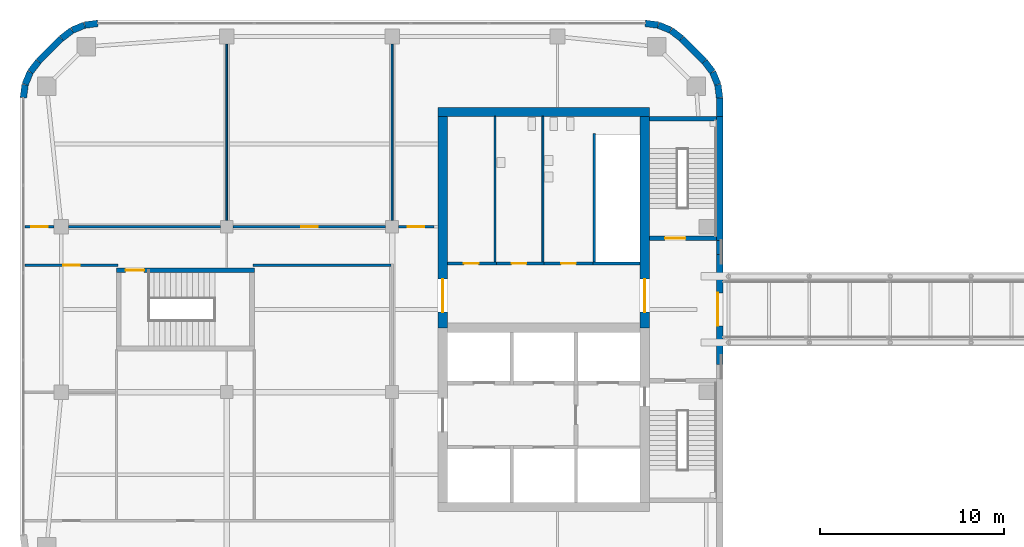
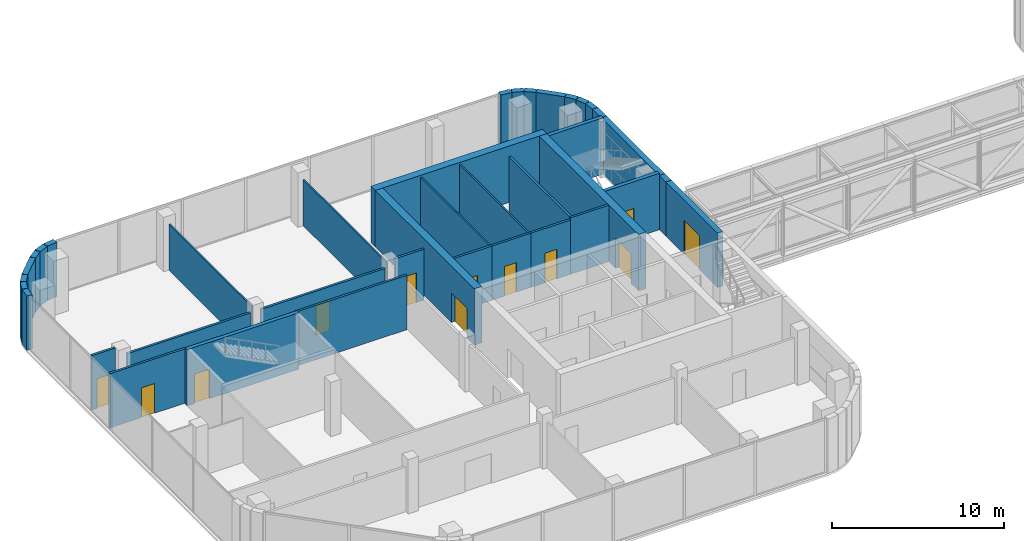
# One storey, part 16 of 24: 39 walls, 12 doors, 12 openings.
"""IFC4 building model written with IfcOpenShell, lengths in metres."""

from ifc_helpers import new_model, si_unit, direction, frame, frame_2d, origin, place, context, subcontext, project, spatial, rectangle, extrude, material, layer, layer_set, type_object, element, fill, save


model = new_model("IFC4")

# Units and contexts
model_context = context("Model", 3, precision=1e-05, world=origin(), true_north=direction((0.0, 1.0)))
body_context = subcontext(model_context, "Body", "Model", "MODEL_VIEW")
ifc_project = project(units=[si_unit("LENGTHUNIT", "METRE"), si_unit("AREAUNIT", "SQUARE_METRE"), si_unit("VOLUMEUNIT", "CUBIC_METRE"), si_unit("PLANEANGLEUNIT", "RADIAN"), si_unit("MASSUNIT", "GRAM", prefix="KILO")], contexts=[model_context])

# Site, building, storey
site_placement = place(None, origin())
site = spatial("IfcSite", under=ifc_project, at=site_placement, CompositionType="ELEMENT")
building_placement = place(site_placement, origin())
building = spatial("IfcBuilding", under=site, at=building_placement, Name="Cinnabar Reach Civic Tower", CompositionType="ELEMENT")
storey_placement = place(building_placement, frame((0.0, 0.0, 71.0)))
storey = spatial("IfcBuildingStorey", under=building, at=storey_placement, Name="L16", CompositionType="ELEMENT", Elevation=71.0)

# Walls
ifc_material_1 = material(Name="Facing brick with insulated backing", Category="masonry")
ifc_layer_1 = layer(ifc_material_1, 0.36)
ifc_layer_set_1 = layer_set([ifc_layer_1], Name="Brick corner wall")
wall_type_1 = type_object("IfcWallType", Name="Brick corner wall", PredefinedType="STANDARD", material=ifc_layer_set_1)
for number, where, z_axis, x_axis, name in (
    (1, (-27.183, 43.0186, 0.0), (0.0, 0.0, 1.0), (-0.13055608231, 0.99144092581, 0.0), "Brick corner wall"),
    (2, (-27.2819, 43.7473, 0.0), (0.0, 0.0, 1.0), (-0.382702709855, 0.923871547278, 0.0), "Brick corner wall"),
):
    element("IfcWall", number, at=place(storey_placement, frame(where, z_axis=z_axis, x_axis=x_axis)), inside=storey, type_object=wall_type_1, Name=name, PredefinedType="STANDARD", context=body_context, shape_type="SweptSolid", body=[
        extrude(rectangle(XDim=0.7131, YDim=0.36, at=frame_2d((0.3565, 0.0))), origin(), (0.0, 0.0, 1.0), 3.85),
    ])
for number, where, z_axis, x_axis, name in (
    (3, (-27.566, 44.4255, 0.0), (0.0, 0.0, 1.0), (-0.608802368033, 0.793321924995, 0.0), "Brick corner wall"),
    (4, (-29.2587, 46.2498, 0.0), (0.0, 0.0, 1.0), (-0.793321924995, 0.608802368033, 0.0), "Brick corner wall"),
):
    element("IfcWall", number, at=place(storey_placement, frame(where, z_axis=z_axis, x_axis=x_axis)), inside=storey, type_object=wall_type_1, Name=name, PredefinedType="STANDARD", context=body_context, shape_type="SweptSolid", body=[
        extrude(rectangle(XDim=0.7132, YDim=0.36, at=frame_2d((0.3566, 0.0))), origin(), (0.0, 0.0, 1.0), 3.85),
    ])
for number, where, z_axis, x_axis, name in (
    (5, (-29.8439, 46.6952, 0.0), (0.0, 0.0, 1.0), (-0.923871547278, 0.382702709855, 0.0), "Brick corner wall"),
    (6, (-30.5244, 46.9739, 0.0), (0.0, 0.0, 1.0), (-0.99144092581, 0.13055608231, 0.0), "Brick corner wall"),
    (7, (-61.0186, 47.067, 0.0), (0.0, 0.0, 1.0), (-0.99144092581, -0.13055608231, 0.0), "Brick corner wall"),
    (8, (-61.7473, 46.9681, 0.0), (0.0, 0.0, 1.0), (-0.923871547278, -0.382702709855, 0.0), "Brick corner wall"),
):
    element("IfcWall", number, at=place(storey_placement, frame(where, z_axis=z_axis, x_axis=x_axis)), inside=storey, type_object=wall_type_1, Name=name, PredefinedType="STANDARD", context=body_context, shape_type="SweptSolid", body=[
        extrude(rectangle(XDim=0.7131, YDim=0.36, at=frame_2d((0.3565, 0.0))), origin(), (0.0, 0.0, 1.0), 3.85),
    ])
for number, where, z_axis, x_axis, name in (
    (9, (-62.4255, 46.684, 0.0), (0.0, 0.0, 1.0), (-0.793321924995, -0.608802368033, 0.0), "Brick corner wall"),
    (10, (-64.2498, 44.9913, 0.0), (0.0, 0.0, 1.0), (-0.608802368033, -0.793321924995, 0.0), "Brick corner wall"),
):
    element("IfcWall", number, at=place(storey_placement, frame(where, z_axis=z_axis, x_axis=x_axis)), inside=storey, type_object=wall_type_1, Name=name, PredefinedType="STANDARD", context=body_context, shape_type="SweptSolid", body=[
        extrude(rectangle(XDim=0.7132, YDim=0.36, at=frame_2d((0.3566, 0.0))), origin(), (0.0, 0.0, 1.0), 3.85),
    ])
for number, where, z_axis, x_axis, name in (
    (11, (-64.6952, 44.4061, 0.0), (0.0, 0.0, 1.0), (-0.382702709855, -0.923871547278, 0.0), "Brick corner wall"),
    (12, (-64.9739, 43.7256, 0.0), (0.0, 0.0, 1.0), (-0.13055608231, -0.99144092581, 0.0), "Brick corner wall"),
):
    element("IfcWall", number, at=place(storey_placement, frame(where, z_axis=z_axis, x_axis=x_axis)), inside=storey, type_object=wall_type_1, Name=name, PredefinedType="STANDARD", context=body_context, shape_type="SweptSolid", body=[
        extrude(rectangle(XDim=0.7131, YDim=0.36, at=frame_2d((0.3565, 0.0))), origin(), (0.0, 0.0, 1.0), 3.85),
    ])

# Wall, opening, door
ifc_layer_2 = layer(ifc_material_1, 0.36)
ifc_layer_set_2 = layer_set([ifc_layer_2], Name="Brick pier and spandrel wall")
wall_type_2 = type_object("IfcWallType", Name="Brick pier and spandrel wall", PredefinedType="STANDARD", material=ifc_layer_set_2)
wall_1_placement = place(storey_placement, frame((-27.18, 28.5, 0.0), z_axis=(0.0, 0.0, 1.0), x_axis=(0.0, 1.0, 0.0)))
wall_1 = element("IfcWall", 13, at=wall_1_placement, inside=storey, type_object=wall_type_2, Name="Brick facade wall", PredefinedType="STANDARD", context=body_context, shape_type="SweptSolid", body=[
    extrude(rectangle(XDim=6.0, YDim=0.36, at=frame_2d((3.0, 0.0))), origin(), (0.0, 0.0, 1.0), 3.85),
])
opening_1_placement = place(wall_1_placement, frame((2.1, 0.0, 0.0)))
opening_1 = element("IfcOpeningElement", 14, at=opening_1_placement, cuts=wall_1, Name="Opening D7517", PredefinedType="OPENING", context=body_context, shape_type="SweptSolid", body=[
    extrude(rectangle(XDim=1.8, YDim=2.4, at=frame_2d((0.9, 1.2))), frame((0.0, 0.19, 0.0), z_axis=(0.0, -1.0, 0.0), x_axis=(1.0, 0.0, 0.0)), (0.0, 0.0, 1.0), 0.38),
])
ifc_material_2 = material(Name="Steel fire door with glazed vision panel", Category="steel")
door_type_1 = type_object("IfcDoorType", Name="Facade bridge landing fire door", OperationType="SINGLE_SWING_LEFT", PredefinedType="DOOR", material=ifc_material_2)
door_1_placement = place(opening_1_placement, frame((1.8, 0.0, 0.0), z_axis=(0.0, 0.0, 1.0), x_axis=(-1.0, 0.0, 0.0)))
door_1 = element("IfcDoor", 15, at=door_1_placement, inside=storey, type_object=door_type_1, Name="Bridge landing fire door", OperationType="DOUBLE_DOOR_SINGLE_SWING", OverallHeight=2.4, OverallWidth=1.8, PredefinedType="DOOR", context=body_context, shape_type="SweptSolid", body=[
    extrude(rectangle(XDim=1.8, YDim=2.4, at=frame_2d((0.9, 1.2))), frame((0.0, -0.07, 0.0), z_axis=(0.0, -1.0, 0.0), x_axis=(1.0, 0.0, 0.0)), (0.0, 0.0, 1.0), 0.05),
])
fill(opening_1, door_1)

# Walls
wall_2_placement = place(storey_placement, frame((-27.18, 34.5, 0.0), z_axis=(0.0, 0.0, 1.0), x_axis=(0.0, 1.0, 0.0)))
element("IfcWall", 16, at=wall_2_placement, inside=storey, type_object=wall_type_2, Name="Brick facade wall", PredefinedType="STANDARD", context=body_context, shape_type="SweptSolid", body=[
    extrude(rectangle(XDim=0.75, YDim=0.36, at=frame_2d((0.375, 0.0))), origin(), (0.0, 0.0, 1.0), 3.85),
])
wall_3_placement = place(storey_placement, frame((-27.18, 35.25, 0.0), z_axis=(0.0, 0.0, 1.0), x_axis=(0.0, 1.0, 0.0)))
element("IfcWall", 17, at=wall_3_placement, inside=storey, type_object=wall_type_2, Name="Brick facade wall", PredefinedType="STANDARD", context=body_context, shape_type="SweptSolid", body=[
    extrude(rectangle(XDim=6.75, YDim=0.36, at=frame_2d((3.375, 0.0))), origin(), (0.0, 0.0, 1.0), 3.85),
])
wall_4_placement = place(storey_placement, frame((-27.18, 42.0, 0.0), z_axis=(0.0, 0.0, 1.0), x_axis=(0.0, 1.0, 0.0)))
element("IfcWall", 18, at=wall_4_placement, inside=storey, type_object=wall_type_2, Name="Brick facade wall", PredefinedType="STANDARD", context=body_context, shape_type="SweptSolid", body=[
    extrude(rectangle(XDim=1.0074, YDim=0.36, at=frame_2d((0.5037, 0.0))), origin(), (0.0, 0.0, 1.0), 3.85),
])
for number, where, z_axis, x_axis, name in (
    (19, (-28.006, 45.0014, 0.0), (0.0, 0.0, 1.0), (-0.707106781187, 0.707106781187, 0.0), "Brick facade wall"),
    (20, (-63.0014, 46.244, 0.0), (0.0, 0.0, 1.0), (-0.707106781187, -0.707106781187, 0.0), "Brick facade wall"),
):
    element("IfcWall", number, at=place(storey_placement, frame(where, z_axis=z_axis, x_axis=x_axis)), inside=storey, type_object=wall_type_2, Name=name, PredefinedType="STANDARD", context=body_context, shape_type="SweptSolid", body=[
        extrude(rectangle(XDim=1.7573, YDim=0.36, at=frame_2d((0.8787, 0.0))), origin(), (0.0, 0.0, 1.0), 3.85),
    ])
ifc_material_3 = material(Name="Concrete C60", Category="concrete")
ifc_layer_3 = layer(ifc_material_3, 0.5)
ifc_layer_set_3 = layer_set([ifc_layer_3], Name="Core wall 500 EI 180")
wall_type_3 = type_object("IfcWallType", Name="Core wall 500 EI 180", PredefinedType="SOLIDWALL", material=ifc_layer_set_3)
wall_5_placement = place(storey_placement, frame((-31.0, 42.25, 0.0), z_axis=(0.0, 0.0, 1.0), x_axis=(-1.0, 0.0, 0.0)))
element("IfcWall", 21, at=wall_5_placement, inside=storey, type_object=wall_type_3, Name="Core wall T2 L16 N", PredefinedType="SOLIDWALL", context=body_context, shape_type="SweptSolid", body=[
    extrude(rectangle(XDim=11.5, YDim=0.5, at=frame_2d((5.75, 0.0))), origin(), (0.0, 0.0, 1.0), 4.0),
])

# Wall, opening, door
wall_6_placement = place(storey_placement, frame((-31.25, 30.5, 0.0), z_axis=(0.0, 0.0, 1.0), x_axis=(0.0, 1.0, 0.0)))
wall_6 = element("IfcWall", 22, at=wall_6_placement, inside=storey, type_object=wall_type_3, Name="Core wall T2 L16 E2", PredefinedType="SOLIDWALL", context=body_context, shape_type="SweptSolid", body=[
    extrude(rectangle(XDim=11.5, YDim=0.5, at=frame_2d((5.75, 0.0))), origin(), (0.0, 0.0, 1.0), 4.0),
])
opening_2_placement = place(wall_6_placement, frame((0.85, 0.0, 0.0)))
opening_2 = element("IfcOpeningElement", 23, at=opening_2_placement, cuts=wall_6, Name="Opening D6609", PredefinedType="OPENING", context=body_context, shape_type="SweptSolid", body=[
    extrude(rectangle(XDim=1.8, YDim=2.1, at=frame_2d((0.9, 1.05))), frame((0.0, 0.26, 0.0), z_axis=(0.0, -1.0, 0.0), x_axis=(1.0, 0.0, 0.0)), (0.0, 0.0, 1.0), 0.52),
])
ifc_material_4 = material(Name="Steel fire door", Category="steel")
door_type_2 = type_object("IfcDoorType", Name="T2 Double door 1800", OperationType="DOUBLE_DOOR_SINGLE_SWING", PredefinedType="DOOR", material=ifc_material_4)
door_2_placement = place(opening_2_placement, frame((1.8, 0.0, 0.0), z_axis=(0.0, 0.0, 1.0), x_axis=(-1.0, 0.0, 0.0)))
door_2 = element("IfcDoor", 24, at=door_2_placement, inside=storey, type_object=door_type_2, Name="T2 Double door D6609", OperationType="DOUBLE_DOOR_SINGLE_SWING", OverallHeight=2.1, OverallWidth=1.8, PredefinedType="DOOR", context=body_context, shape_type="SweptSolid", body=[
    extrude(rectangle(XDim=1.8, YDim=2.1, at=frame_2d((0.9, 1.05))), frame((0.0, 0.025, 0.0), z_axis=(0.0, -1.0, 0.0), x_axis=(1.0, 0.0, 0.0)), (0.0, 0.0, 1.0), 0.05),
])
fill(opening_2, door_2)

wall_7_placement = place(storey_placement, frame((-42.25, 42.0, 0.0), z_axis=(0.0, 0.0, 1.0), x_axis=(0.0, -1.0, 0.0)))
wall_7 = element("IfcWall", 25, at=wall_7_placement, inside=storey, type_object=wall_type_3, Name="Core wall T2 L16 W", PredefinedType="SOLIDWALL", context=body_context, shape_type="SweptSolid", body=[
    extrude(rectangle(XDim=11.5, YDim=0.5, at=frame_2d((5.75, 0.0))), origin(), (0.0, 0.0, 1.0), 4.0),
])
opening_3_placement = place(wall_7_placement, frame((8.85, 0.0, 0.0)))
opening_3 = element("IfcOpeningElement", 26, at=opening_3_placement, cuts=wall_7, Name="Opening D6611", PredefinedType="OPENING", context=body_context, shape_type="SweptSolid", body=[
    extrude(rectangle(XDim=1.8, YDim=2.1, at=frame_2d((0.9, 1.05))), frame((0.0, 0.26, 0.0), z_axis=(0.0, -1.0, 0.0), x_axis=(1.0, 0.0, 0.0)), (0.0, 0.0, 1.0), 0.52),
])
door_3_placement = place(opening_3_placement, frame((1.8, 0.0, 0.0), z_axis=(0.0, 0.0, 1.0), x_axis=(-1.0, 0.0, 0.0)))
door_3 = element("IfcDoor", 27, at=door_3_placement, inside=storey, type_object=door_type_2, Name="T2 Double door D6611", OperationType="DOUBLE_DOOR_SINGLE_SWING", OverallHeight=2.1, OverallWidth=1.8, PredefinedType="DOOR", context=body_context, shape_type="SweptSolid", body=[
    extrude(rectangle(XDim=1.8, YDim=2.1, at=frame_2d((0.9, 1.05))), frame((0.0, 0.025, 0.0), z_axis=(0.0, -1.0, 0.0), x_axis=(1.0, 0.0, 0.0)), (0.0, 0.0, 1.0), 0.05),
])
fill(opening_3, door_3)

ifc_material_5 = material(Name="Gypsum board on steel studs, double layer", Category="steel")
ifc_layer_4 = layer(ifc_material_5, 0.15)
ifc_layer_set_4 = layer_set([ifc_layer_4], Name="Corridor wall 150 T2")
wall_type_4 = type_object("IfcWallType", Name="Corridor wall 150 T2", PredefinedType="PARTITIONING", material=ifc_layer_set_4)
wall_8_placement = place(storey_placement, frame((-44.65, 36.0, 0.0), z_axis=(0.0, 0.0, 1.0), x_axis=(1.0, 0.0, 0.0)))
wall_8 = element("IfcWall", 28, at=wall_8_placement, inside=storey, type_object=wall_type_4, Name="Corridor wall 5", PredefinedType="PARTITIONING", context=body_context, shape_type="SweptSolid", body=[
    extrude(rectangle(XDim=1.925, YDim=0.15, at=frame_2d((0.9625, 0.0))), origin(), (0.0, 0.0, 1.0), 3.602),
])
opening_4_placement = place(wall_8_placement, frame((0.5, 0.0, 0.0)))
opening_4 = element("IfcOpeningElement", 29, at=opening_4_placement, cuts=wall_8, Name="Opening D6615", PredefinedType="OPENING", context=body_context, shape_type="SweptSolid", body=[
    extrude(rectangle(XDim=0.9, YDim=2.1, at=frame_2d((0.45, 1.05))), frame((0.0, 0.085, 0.0), z_axis=(0.0, -1.0, 0.0), x_axis=(1.0, 0.0, 0.0)), (0.0, 0.0, 1.0), 0.17),
])
ifc_material_6 = material(Name="Timber door leaf in steel frame", Category="steel")
door_type_3 = type_object("IfcDoorType", Name="Single swing door 900 x 2100 T2", OperationType="SINGLE_SWING_LEFT", PredefinedType="DOOR", material=ifc_material_6)
door_4_placement = place(opening_4_placement, origin())
door_4 = element("IfcDoor", 30, at=door_4_placement, inside=storey, type_object=door_type_3, Name="Door D6615", OperationType="SINGLE_SWING_LEFT", OverallHeight=2.1, OverallWidth=0.9, PredefinedType="DOOR", context=body_context, shape_type="SweptSolid", body=[
    extrude(rectangle(XDim=0.9, YDim=2.1, at=frame_2d((0.45, 1.05))), frame((0.0, 0.025, 0.0), z_axis=(0.0, -1.0, 0.0), x_axis=(1.0, 0.0, 0.0)), (0.0, 0.0, 1.0), 0.05),
])
fill(opening_4, door_4)

wall_9_placement = place(storey_placement, frame((-53.65, 36.0, 0.0), z_axis=(0.0, 0.0, 1.0), x_axis=(1.0, 0.0, 0.0)))
wall_9 = element("IfcWall", 31, at=wall_9_placement, inside=storey, type_object=wall_type_4, Name="Corridor wall 6", PredefinedType="PARTITIONING", context=body_context, shape_type="SweptSolid", body=[
    extrude(rectangle(XDim=8.3, YDim=0.15, at=frame_2d((4.15, 0.0))), origin(), (0.0, 0.0, 1.0), 3.158),
])
opening_5_placement = place(wall_9_placement, frame((3.7, 0.0, 0.0)))
opening_5 = element("IfcOpeningElement", 32, at=opening_5_placement, cuts=wall_9, Name="Opening D6620", PredefinedType="OPENING", context=body_context, shape_type="SweptSolid", body=[
    extrude(rectangle(XDim=0.9, YDim=2.1, at=frame_2d((0.45, 1.05))), frame((0.0, 0.085, 0.0), z_axis=(0.0, -1.0, 0.0), x_axis=(1.0, 0.0, 0.0)), (0.0, 0.0, 1.0), 0.17),
])
door_5_placement = place(opening_5_placement, origin())
door_5 = element("IfcDoor", 33, at=door_5_placement, inside=storey, type_object=door_type_3, Name="Door D6620", OperationType="SINGLE_SWING_RIGHT", OverallHeight=2.1, OverallWidth=0.9, PredefinedType="DOOR", context=body_context, shape_type="SweptSolid", body=[
    extrude(rectangle(XDim=0.9, YDim=2.1, at=frame_2d((0.45, 1.05))), frame((0.0, 0.025, 0.0), z_axis=(0.0, -1.0, 0.0), x_axis=(1.0, 0.0, 0.0)), (0.0, 0.0, 1.0), 0.05),
])
fill(opening_5, door_5)

# Wall
wall_10_placement = place(storey_placement, frame((-62.6, 36.0, 0.0), z_axis=(0.0, 0.0, 1.0), x_axis=(1.0, 0.0, 0.0)))
element("IfcWall", 34, at=wall_10_placement, inside=storey, type_object=wall_type_4, Name="Corridor wall 7", PredefinedType="PARTITIONING", context=body_context, shape_type="SweptSolid", body=[
    extrude(rectangle(XDim=8.25, YDim=0.15, at=frame_2d((4.125, 0.0))), origin(), (0.0, 0.0, 1.0), 3.158),
])

# Wall, opening, door
wall_11_placement = place(storey_placement, frame((-64.99, 36.0, 0.0), z_axis=(0.0, 0.0, 1.0), x_axis=(1.0, 0.0, 0.0)))
wall_11 = element("IfcWall", 35, at=wall_11_placement, inside=storey, type_object=wall_type_4, Name="Corridor wall 8", PredefinedType="PARTITIONING", context=body_context, shape_type="SweptSolid", body=[
    extrude(rectangle(XDim=1.59, YDim=0.15, at=frame_2d((0.795, 0.0))), origin(), (0.0, 0.0, 1.0), 3.85),
])
opening_6_placement = place(wall_11_placement, frame((0.35, 0.0, 0.0)))
opening_6 = element("IfcOpeningElement", 36, at=opening_6_placement, cuts=wall_11, Name="Opening D6619", PredefinedType="OPENING", context=body_context, shape_type="SweptSolid", body=[
    extrude(rectangle(XDim=0.9, YDim=2.1, at=frame_2d((0.45, 1.05))), frame((0.0, 0.085, 0.0), z_axis=(0.0, -1.0, 0.0), x_axis=(1.0, 0.0, 0.0)), (0.0, 0.0, 1.0), 0.17),
])
door_6_placement = place(opening_6_placement, origin())
door_6 = element("IfcDoor", 37, at=door_6_placement, inside=storey, type_object=door_type_3, Name="Door D6619", OperationType="SINGLE_SWING_RIGHT", OverallHeight=2.1, OverallWidth=0.9, PredefinedType="DOOR", context=body_context, shape_type="SweptSolid", body=[
    extrude(rectangle(XDim=0.9, YDim=2.1, at=frame_2d((0.45, 1.05))), frame((0.0, 0.025, 0.0), z_axis=(0.0, -1.0, 0.0), x_axis=(1.0, 0.0, 0.0)), (0.0, 0.0, 1.0), 0.05),
])
fill(opening_6, door_6)

# Wall
wall_12_placement = place(storey_placement, frame((-52.575, 33.9, 0.0), z_axis=(0.0, 0.0, 1.0), x_axis=(1.0, 0.0, 0.0)))
element("IfcWall", 38, at=wall_12_placement, inside=storey, type_object=wall_type_4, Name="Corridor wall 12", PredefinedType="PARTITIONING", context=body_context, shape_type="SweptSolid", body=[
    extrude(rectangle(XDim=7.5, YDim=0.15, at=frame_2d((3.75, 0.0))), origin(), (0.0, 0.0, 1.0), 3.85),
])

# Wall, opening, door
wall_13_placement = place(storey_placement, frame((-64.99, 33.9, 0.0), z_axis=(0.0, 0.0, 1.0), x_axis=(1.0, 0.0, 0.0)))
wall_13 = element("IfcWall", 39, at=wall_13_placement, inside=storey, type_object=wall_type_4, Name="Corridor wall 13", PredefinedType="PARTITIONING", context=body_context, shape_type="SweptSolid", body=[
    extrude(rectangle(XDim=5.065, YDim=0.15, at=frame_2d((2.5325, 0.0))), origin(), (0.0, 0.0, 1.0), 3.85),
])
opening_7_placement = place(wall_13_placement, frame((2.1, 0.0, 0.0)))
opening_7 = element("IfcOpeningElement", 40, at=opening_7_placement, cuts=wall_13, Name="Opening D6622", PredefinedType="OPENING", context=body_context, shape_type="SweptSolid", body=[
    extrude(rectangle(XDim=0.9, YDim=2.1, at=frame_2d((0.45, 1.05))), frame((0.0, 0.085, 0.0), z_axis=(0.0, -1.0, 0.0), x_axis=(1.0, 0.0, 0.0)), (0.0, 0.0, 1.0), 0.17),
])
door_7_placement = place(opening_7_placement, frame((0.9, 0.0, 0.0), z_axis=(0.0, 0.0, 1.0), x_axis=(-1.0, 0.0, 0.0)))
door_7 = element("IfcDoor", 41, at=door_7_placement, inside=storey, type_object=door_type_3, Name="Door D6622", OperationType="SINGLE_SWING_LEFT", OverallHeight=2.1, OverallWidth=0.9, PredefinedType="DOOR", context=body_context, shape_type="SweptSolid", body=[
    extrude(rectangle(XDim=0.9, YDim=2.1, at=frame_2d((0.45, 1.05))), frame((0.0, 0.025, 0.0), z_axis=(0.0, -1.0, 0.0), x_axis=(1.0, 0.0, 0.0)), (0.0, 0.0, 1.0), 0.05),
])
fill(opening_7, door_7)

# Walls
ifc_material_7 = material(Name="Gypsum board on steel studs", Category="steel")
ifc_layer_5 = layer(ifc_material_7, 0.1)
ifc_layer_set_5 = layer_set([ifc_layer_5], Name="Partition wall 100 T2")
wall_type_5 = type_object("IfcWallType", Name="Partition wall 100 T2", PredefinedType="PARTITIONING", material=ifc_layer_set_5)
for number, where, z_axis, x_axis, name in (
    (42, (-54.0, 36.35, 0.0), (0.0, 0.0, 1.0), (0.0, 1.0, 0.0), "Partition wall 14"),
    (43, (-45.0, 36.35, 0.0), (0.0, 0.0, 1.0), (0.0, 1.0, 0.0), "Partition wall 15"),
):
    element("IfcWall", number, at=place(storey_placement, frame(where, z_axis=z_axis, x_axis=x_axis)), inside=storey, type_object=wall_type_5, Name=name, PredefinedType="PARTITIONING", context=body_context, shape_type="SweptSolid", body=[
        extrude(rectangle(XDim=9.6, YDim=0.1, at=frame_2d((4.8, 0.0))), origin(), (0.0, 0.0, 1.0), 3.256),
    ])

# Wall, opening, door
ifc_layer_6 = layer(ifc_material_3, 0.25)
ifc_layer_set_6 = layer_set([ifc_layer_6], Name="Stair shaft wall 250 EI 120")
wall_type_6 = type_object("IfcWallType", Name="Stair shaft wall 250 EI 120", PredefinedType="SOLIDWALL", material=ifc_layer_set_6)
wall_14_placement = place(storey_placement, frame((-31.0, 35.375, 0.0), z_axis=(0.0, 0.0, 1.0), x_axis=(1.0, 0.0, 0.0)))
wall_14 = element("IfcWall", 44, at=wall_14_placement, inside=storey, type_object=wall_type_6, Name="Stair shaft wall T2-S2 L16", PredefinedType="SOLIDWALL", context=body_context, shape_type="SweptSolid", body=[
    extrude(rectangle(XDim=3.64, YDim=0.25, at=frame_2d((1.82, 0.0))), origin(), (0.0, 0.0, 1.0), 4.0),
])
opening_8_placement = place(wall_14_placement, frame((0.85, 0.0, 0.0)))
opening_8 = element("IfcOpeningElement", 45, at=opening_8_placement, cuts=wall_14, Name="Opening D6608", PredefinedType="OPENING", context=body_context, shape_type="SweptSolid", body=[
    extrude(rectangle(XDim=1.1, YDim=2.1, at=frame_2d((0.55, 1.05))), frame((0.0, 0.135, 0.0), z_axis=(0.0, -1.0, 0.0), x_axis=(1.0, 0.0, 0.0)), (0.0, 0.0, 1.0), 0.27),
])
door_type_4 = type_object("IfcDoorType", Name="T2 Stair door 1100", OperationType="SINGLE_SWING_LEFT", PredefinedType="DOOR", material=ifc_material_4)
door_8_placement = place(opening_8_placement, origin())
door_8 = element("IfcDoor", 46, at=door_8_placement, inside=storey, type_object=door_type_4, Name="T2 Stair door D6608", OperationType="SINGLE_SWING_LEFT", OverallHeight=2.1, OverallWidth=1.1, PredefinedType="DOOR", context=body_context, shape_type="SweptSolid", body=[
    extrude(rectangle(XDim=1.1, YDim=2.1, at=frame_2d((0.55, 1.05))), frame((0.0, 0.025, 0.0), z_axis=(0.0, -1.0, 0.0), x_axis=(1.0, 0.0, 0.0)), (0.0, 0.0, 1.0), 0.05),
])
fill(opening_8, door_8)

# Wall
wall_15_placement = place(storey_placement, frame((-27.36, 41.875, 0.0), z_axis=(0.0, 0.0, 1.0), x_axis=(-1.0, 0.0, 0.0)))
element("IfcWall", 47, at=wall_15_placement, inside=storey, type_object=wall_type_6, Name="Stair shaft wall T2-S2 L16", PredefinedType="SOLIDWALL", context=body_context, shape_type="SweptSolid", body=[
    extrude(rectangle(XDim=3.64, YDim=0.25, at=frame_2d((1.82, 0.0))), origin(), (0.0, 0.0, 1.0), 4.0),
])

# Wall, opening, door
wall_16_placement = place(storey_placement, frame((-52.5, 33.625, 0.0), z_axis=(0.0, 0.0, 1.0), x_axis=(-1.0, 0.0, 0.0)))
wall_16 = element("IfcWall", 48, at=wall_16_placement, inside=storey, type_object=wall_type_6, Name="Stair shaft wall T2-S3 L16", PredefinedType="SOLIDWALL", context=body_context, shape_type="SweptSolid", body=[
    extrude(rectangle(XDim=7.5, YDim=0.25, at=frame_2d((3.75, 0.0))), origin(), (0.0, 0.0, 1.0), 4.0),
])
opening_9_placement = place(wall_16_placement, frame((6.0, 0.0, 0.0)))
opening_9 = element("IfcOpeningElement", 49, at=opening_9_placement, cuts=wall_16, Name="Opening D6625", PredefinedType="OPENING", context=body_context, shape_type="SweptSolid", body=[
    extrude(rectangle(XDim=1.0, YDim=2.1, at=frame_2d((0.5, 1.05))), frame((0.0, 0.135, 0.0), z_axis=(0.0, -1.0, 0.0), x_axis=(1.0, 0.0, 0.0)), (0.0, 0.0, 1.0), 0.27),
])
door_type_5 = type_object("IfcDoorType", Name="Stair door 1000 x 2100 T2", OperationType="SINGLE_SWING_LEFT", PredefinedType="DOOR", material=ifc_material_6)
door_9_placement = place(opening_9_placement, origin())
door_9 = element("IfcDoor", 50, at=door_9_placement, inside=storey, type_object=door_type_5, Name="Door D6625", OperationType="SINGLE_SWING_RIGHT", OverallHeight=2.1, OverallWidth=1.0, PredefinedType="DOOR", context=body_context, shape_type="SweptSolid", body=[
    extrude(rectangle(XDim=1.0, YDim=2.1, at=frame_2d((0.5, 1.05))), frame((0.0, 0.025, 0.0), z_axis=(0.0, -1.0, 0.0), x_axis=(1.0, 0.0, 0.0)), (0.0, 0.0, 1.0), 0.05),
])
fill(opening_9, door_9)

ifc_material_8 = material(Name="Masonry block partition", Category="masonry")
ifc_layer_7 = layer(ifc_material_8, 0.15)
ifc_layer_set_7 = layer_set([ifc_layer_7], Name="T2 Corridor wall 150")
wall_type_7 = type_object("IfcWallType", Name="T2 Corridor wall 150", PredefinedType="PARTITIONING", material=ifc_layer_set_7)
wall_17_placement = place(storey_placement, frame((-39.325, 34.0, 0.0), z_axis=(0.0, 0.0, 1.0), x_axis=(-1.0, 0.0, 0.0)))
wall_17 = element("IfcWall", 51, at=wall_17_placement, inside=storey, type_object=wall_type_7, Name="T2 Corridor wall L16 014", PredefinedType="PARTITIONING", context=body_context, shape_type="SweptSolid", body=[
    extrude(rectangle(XDim=2.675, YDim=0.15, at=frame_2d((1.3375, 0.0))), origin(), (0.0, 0.0, 1.0), 3.85),
])
opening_10_placement = place(wall_17_placement, frame((0.975, 0.0, 0.0)))
opening_10 = element("IfcOpeningElement", 52, at=opening_10_placement, cuts=wall_17, Name="Opening D6612", PredefinedType="OPENING", context=body_context, shape_type="SweptSolid", body=[
    extrude(rectangle(XDim=0.8, YDim=2.1, at=frame_2d((0.4, 1.05))), frame((0.0, 0.085, 0.0), z_axis=(0.0, -1.0, 0.0), x_axis=(1.0, 0.0, 0.0)), (0.0, 0.0, 1.0), 0.17),
])
ifc_material_9 = material(Name="Timber door leaf", Category="wood")
door_type_6 = type_object("IfcDoorType", Name="T2 Bathroom door 800", OperationType="SINGLE_SWING_LEFT", PredefinedType="DOOR", material=ifc_material_9)
door_10_placement = place(opening_10_placement, frame((0.8, 0.0, 0.0), z_axis=(0.0, 0.0, 1.0), x_axis=(-1.0, 0.0, 0.0)))
door_10 = element("IfcDoor", 53, at=door_10_placement, inside=storey, type_object=door_type_6, Name="T2 Bathroom door D6612", OperationType="SINGLE_SWING_LEFT", OverallHeight=2.1, OverallWidth=0.8, PredefinedType="DOOR", context=body_context, shape_type="SweptSolid", body=[
    extrude(rectangle(XDim=0.8, YDim=2.1, at=frame_2d((0.4, 1.05))), frame((0.0, 0.025, 0.0), z_axis=(0.0, -1.0, 0.0), x_axis=(1.0, 0.0, 0.0)), (0.0, 0.0, 1.0), 0.05),
])
fill(opening_10, door_10)

wall_18_placement = place(storey_placement, frame((-36.725, 34.0, 0.0), z_axis=(0.0, 0.0, 1.0), x_axis=(-1.0, 0.0, 0.0)))
wall_18 = element("IfcWall", 54, at=wall_18_placement, inside=storey, type_object=wall_type_7, Name="T2 Corridor wall L16 015", PredefinedType="PARTITIONING", context=body_context, shape_type="SweptSolid", body=[
    extrude(rectangle(XDim=2.6, YDim=0.15, at=frame_2d((1.3, 0.0))), origin(), (0.0, 0.0, 1.0), 3.85),
])
opening_11_placement = place(wall_18_placement, frame((0.975, 0.0, 0.0)))
opening_11 = element("IfcOpeningElement", 55, at=opening_11_placement, cuts=wall_18, Name="Opening D6613", PredefinedType="OPENING", context=body_context, shape_type="SweptSolid", body=[
    extrude(rectangle(XDim=0.8, YDim=2.1, at=frame_2d((0.4, 1.05))), frame((0.0, 0.085, 0.0), z_axis=(0.0, -1.0, 0.0), x_axis=(1.0, 0.0, 0.0)), (0.0, 0.0, 1.0), 0.17),
])
door_11_placement = place(opening_11_placement, frame((0.8, 0.0, 0.0), z_axis=(0.0, 0.0, 1.0), x_axis=(-1.0, 0.0, 0.0)))
door_11 = element("IfcDoor", 56, at=door_11_placement, inside=storey, type_object=door_type_6, Name="T2 Bathroom door D6613", OperationType="SINGLE_SWING_LEFT", OverallHeight=2.1, OverallWidth=0.8, PredefinedType="DOOR", context=body_context, shape_type="SweptSolid", body=[
    extrude(rectangle(XDim=0.8, YDim=2.1, at=frame_2d((0.4, 1.05))), frame((0.0, 0.025, 0.0), z_axis=(0.0, -1.0, 0.0), x_axis=(1.0, 0.0, 0.0)), (0.0, 0.0, 1.0), 0.05),
])
fill(opening_11, door_11)

wall_19_placement = place(storey_placement, frame((-34.075, 34.0, 0.0), z_axis=(0.0, 0.0, 1.0), x_axis=(-1.0, 0.0, 0.0)))
wall_19 = element("IfcWall", 57, at=wall_19_placement, inside=storey, type_object=wall_type_7, Name="T2 Corridor wall L16 016", PredefinedType="PARTITIONING", context=body_context, shape_type="SweptSolid", body=[
    extrude(rectangle(XDim=2.65, YDim=0.15, at=frame_2d((1.325, 0.0))), origin(), (0.0, 0.0, 1.0), 3.85),
])
opening_12_placement = place(wall_19_placement, frame((0.925, 0.0, 0.0)))
opening_12 = element("IfcOpeningElement", 58, at=opening_12_placement, cuts=wall_19, Name="Opening D6614", PredefinedType="OPENING", context=body_context, shape_type="SweptSolid", body=[
    extrude(rectangle(XDim=0.8, YDim=2.1, at=frame_2d((0.4, 1.05))), frame((0.0, 0.085, 0.0), z_axis=(0.0, -1.0, 0.0), x_axis=(1.0, 0.0, 0.0)), (0.0, 0.0, 1.0), 0.17),
])
door_12_placement = place(opening_12_placement, frame((0.8, 0.0, 0.0), z_axis=(0.0, 0.0, 1.0), x_axis=(-1.0, 0.0, 0.0)))
door_12 = element("IfcDoor", 59, at=door_12_placement, inside=storey, type_object=door_type_6, Name="T2 Bathroom door D6614", OperationType="SINGLE_SWING_RIGHT", OverallHeight=2.1, OverallWidth=0.8, PredefinedType="DOOR", context=body_context, shape_type="SweptSolid", body=[
    extrude(rectangle(XDim=0.8, YDim=2.1, at=frame_2d((0.4, 1.05))), frame((0.0, 0.025, 0.0), z_axis=(0.0, -1.0, 0.0), x_axis=(1.0, 0.0, 0.0)), (0.0, 0.0, 1.0), 0.05),
])
fill(opening_12, door_12)

# Walls
ifc_material_10 = material(Name="Gypsum board partition")
ifc_layer_8 = layer(ifc_material_10, 0.1)
ifc_layer_set_8 = layer_set([ifc_layer_8], Name="T2 Internal partition 100")
wall_type_8 = type_object("IfcWallType", Name="T2 Internal partition 100", PredefinedType="PARTITIONING", material=ifc_layer_set_8)
for number, where, z_axis, x_axis, name in (
    (60, (-39.4, 34.075, 0.0), (0.0, 0.0, 1.0), (0.0, 1.0, 0.0), "T2 Internal partition L16 017"),
    (61, (-36.8, 34.075, 0.0), (0.0, 0.0, 1.0), (0.0, 1.0, 0.0), "T2 Internal partition L16 018"),
):
    element("IfcWall", number, at=place(storey_placement, frame(where, z_axis=z_axis, x_axis=x_axis)), inside=storey, type_object=wall_type_8, Name=name, PredefinedType="PARTITIONING", context=body_context, shape_type="SweptSolid", body=[
        extrude(rectangle(XDim=7.925, YDim=0.1, at=frame_2d((3.9625, 0.0))), origin(), (0.0, 0.0, 1.0), 3.85),
    ])
ifc_material_11 = material(Name="Concrete C40", Category="concrete")
ifc_layer_9 = layer(ifc_material_11, 0.15)
ifc_layer_set_9 = layer_set([ifc_layer_9], Name="T2 Riser wall 150")
wall_type_9 = type_object("IfcWallType", Name="T2 Riser wall 150", PredefinedType="SOLIDWALL", material=ifc_layer_set_9)
wall_20_placement = place(storey_placement, frame((-34.075, 34.0, 0.0), z_axis=(0.0, 0.0, 1.0), x_axis=(1.0, 0.0, 0.0)))
element("IfcWall", 62, at=wall_20_placement, inside=storey, type_object=wall_type_9, Name="T2 Riser wall L16 012", PredefinedType="SOLIDWALL", context=body_context, shape_type="SweptSolid", body=[
    extrude(rectangle(XDim=2.575, YDim=0.15, at=frame_2d((1.2875, 0.0))), origin(), (0.0, 0.0, 1.0), 4.0),
])
wall_21_placement = place(storey_placement, frame((-34.0, 41.075, 0.0), z_axis=(0.0, 0.0, 1.0), x_axis=(0.0, -1.0, 0.0)))
element("IfcWall", 63, at=wall_21_placement, inside=storey, type_object=wall_type_9, Name="T2 Riser wall L16 013", PredefinedType="SOLIDWALL", context=body_context, shape_type="SweptSolid", body=[
    extrude(rectangle(XDim=7.0, YDim=0.15, at=frame_2d((3.5, 0.0))), origin(), (0.0, 0.0, 1.0), 4.0),
])

save(model, "model.ifc")
